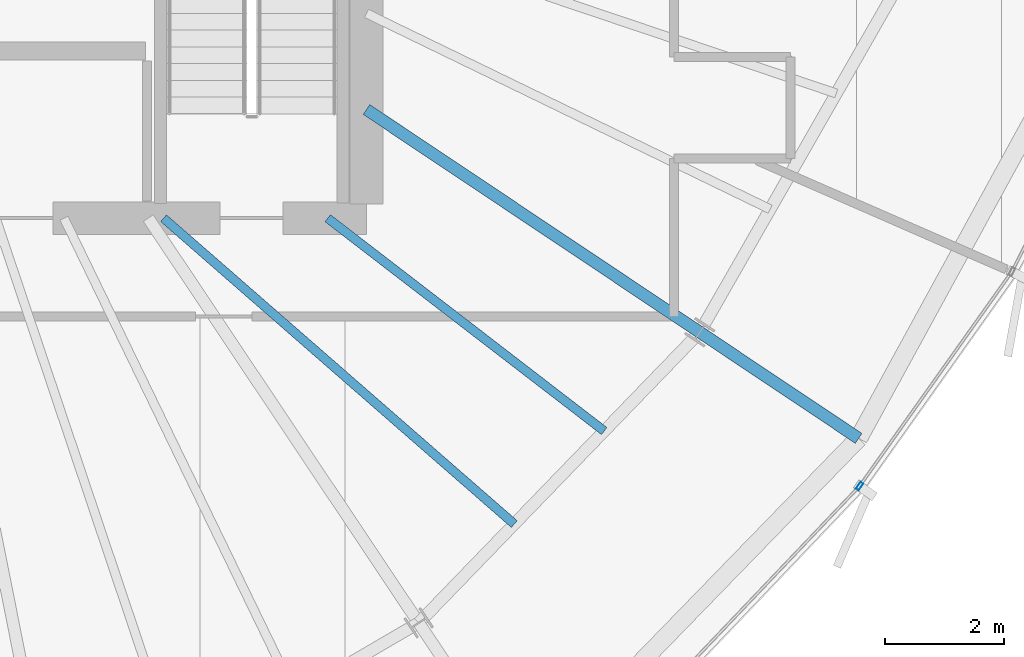
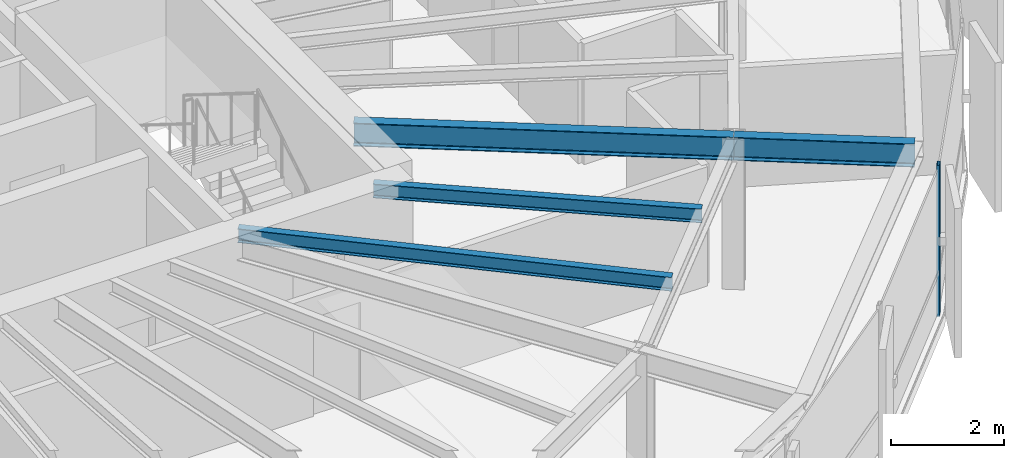
# One storey, part 13 of 35: 4 beams, 1 member, 1 element without a shape of its own.
"""IFC4 building model written with IfcOpenShell, lengths in metres."""

from ifc_helpers import new_model, si_unit, direction, frame, origin, origin_2d, place, context, subcontext, project, spatial, hollow_rectangle, i_section, extrude, source, transform, mapped, material, layer, layer_set, material_profile, profile_set, type_object, element, aggregate, save


model = new_model("IFC4")

# Units and contexts
model_context = context("Model", 3, precision=1e-05, world=origin(), true_north=direction((0.0, 1.0)))
body_context = subcontext(model_context, "Body", "Model", "MODEL_VIEW")
ifc_project = project(units=[si_unit("LENGTHUNIT", "METRE"), si_unit("AREAUNIT", "SQUARE_METRE"), si_unit("VOLUMEUNIT", "CUBIC_METRE"), si_unit("PLANEANGLEUNIT", "RADIAN"), si_unit("MASSUNIT", "GRAM", prefix="KILO"), si_unit("THERMODYNAMICTEMPERATUREUNIT", "KELVIN")], contexts=[model_context])

# Site, building, storey
site_placement = place(None, origin())
site = spatial("IfcSite", under=ifc_project, at=site_placement, CompositionType="ELEMENT")
building_placement = place(site_placement, origin())
building = spatial("IfcBuilding", under=site, at=building_placement, Name="Kethvar Cultural Tower", CompositionType="ELEMENT")
storey_placement = place(building_placement, frame((0.0, 0.0, 204.39990234375)))
storey = spatial("IfcBuildingStorey", under=building, at=storey_placement, Name="L53", CompositionType="ELEMENT", Elevation=204.39990234375)

# Beams
ifc_material_1 = material(Name="Steel S355J2", Category="steel")
ifc_material_profile_1 = material_profile(ifc_material_1, i_section(OverallWidth=0.199951171875, OverallDepth=0.5, WebThickness=0.01025390625, FlangeThickness=0.01611328125, FilletRadius=0.02099609375, at=origin_2d()), Name="Steel S355J2 — IPE500")
ifc_profile_set_1 = profile_set([ifc_material_profile_1], Name="Steel S355J2 — IPE500")
beam_type_1 = type_object("IfcBeamType", Name="BM-IPE500", PredefinedType="BEAM", material=ifc_profile_set_1)
shared_shape_1 = source(origin(), body_context, "Body", "SweptSolid", [
    extrude(i_section(OverallWidth=0.199951171875, OverallDepth=0.5, WebThickness=0.01025390625, FlangeThickness=0.01611328125, FilletRadius=0.02099609375, at=origin_2d()), origin(), (0.0, 0.0, 1.0), 3.199951171875),
])
beam_1_placement = place(storey_placement, frame((61.1826171875, 18.18994140625, 3.008056640625), z_axis=(0.831462943996, -0.555580212716, 0.0), x_axis=(0.555580212716, 0.831462943996, 0.0)))
element("IfcBeam", 1, at=beam_1_placement, inside=storey, type_object=beam_type_1, Name="L53 Perimeter Cantilever Beam RC-15", PredefinedType="BEAM", context=body_context, shape_type="MappedRepresentation", body=[
    mapped(shared_shape_1, transform((0.0, 0.0, 0.0), scale=1.0)),
])
shared_shape_2 = source(origin(), body_context, "Body", "SweptSolid", [
    extrude(i_section(OverallWidth=0.199951171875, OverallDepth=0.5, WebThickness=0.01025390625, FlangeThickness=0.01611328125, FilletRadius=0.02099609375, at=origin_2d()), origin(), (0.0, 0.0, 1.0), 6.7138671875),
])
beam_2_placement = place(storey_placement, frame((55.60009765625, 21.919921875, 3.008056640625), z_axis=(0.831479232731, -0.555555834762, 0.0), x_axis=(0.555555834762, 0.831479232731, 0.0)))
element("IfcBeam", 2, at=beam_2_placement, inside=storey, type_object=beam_type_1, Name="L53 Primary Radial Beam RB-15", PredefinedType="BEAM", context=body_context, shape_type="MappedRepresentation", body=[
    mapped(shared_shape_2, transform((0.0, 0.0, 0.0), scale=1.0)),
])
ifc_material_profile_2 = material_profile(ifc_material_1, i_section(OverallWidth=0.14990234375, OverallDepth=0.300048828125, WebThickness=0.007080078125, FlangeThickness=0.0107421875, FilletRadius=0.014892578125, at=origin_2d()), Name="Steel S355J2 — IPE300")
ifc_profile_set_2 = profile_set([ifc_material_profile_2], Name="Steel S355J2 — IPE300")
beam_type_2 = type_object("IfcBeamType", Name="BM-J300", PredefinedType="JOIST", material=ifc_profile_set_2)
shared_shape_3 = source(origin(), body_context, "Body", "SweptSolid", [
    extrude(i_section(OverallWidth=0.14990234375, OverallDepth=0.300048828125, WebThickness=0.007080078125, FlangeThickness=0.0107421875, FilletRadius=0.014892578125, at=origin_2d()), origin(), (0.0, 0.0, 1.0), 7.7958984375),
])
beam_3_placement = place(storey_placement, frame((52.199951171875, 20.10009765625, 3.108154296875), z_axis=(0.753673681644, -0.657248797335, 0.0), x_axis=(0.657248797335, 0.753673681644, 0.0)))
element("IfcBeam", 3, at=beam_3_placement, inside=storey, type_object=beam_type_2, Name="L53 Composite Floor Joist J-14A", PredefinedType="JOIST", context=body_context, shape_type="MappedRepresentation", body=[
    mapped(shared_shape_3, transform((0.0, 0.0, 0.0), scale=1.0)),
])
shared_shape_4 = source(origin(), body_context, "Body", "SweptSolid", [
    extrude(i_section(OverallWidth=0.14990234375, OverallDepth=0.300048828125, WebThickness=0.007080078125, FlangeThickness=0.0107421875, FilletRadius=0.014892578125, at=origin_2d()), origin(), (0.0, 0.0, 1.0), 5.84521484375),
])
beam_4_placement = place(storey_placement, frame((54.949951171875, 20.10009765625, 3.108154296875), z_axis=(0.792398798307, -0.610003397073, 0.0), x_axis=(0.610003397073, 0.792398798307, 0.0)))
element("IfcBeam", 4, at=beam_4_placement, inside=storey, type_object=beam_type_2, Name="L53 Composite Floor Joist J-14B", PredefinedType="JOIST", context=body_context, shape_type="MappedRepresentation", body=[
    mapped(shared_shape_4, transform((0.0, 0.0, 0.0), scale=1.0)),
])

# Curtain wall, member
ifc_material_2 = material(Name="Aluminium 6063-T6", Category="aluminium")
ifc_layer = layer(ifc_material_2, 0.179931640625, Name="Aluminium 6063-T6", Category="aluminium")
ifc_layer_set = layer_set([ifc_layer], Name="Aluminium 6063-T6 (180 mm)")
curtain_wall_type = type_object("IfcCurtainWallType", Name="CW-SYS-04-Z34", PredefinedType="NOTDEFINED", material=ifc_layer_set)
curtain_wall_placement = place(storey_placement, origin())
curtain_wall = element("IfcCurtainWall", 5, at=curtain_wall_placement, inside=storey, type_object=curtain_wall_type, Name="L53 Curtain Wall Run 05", PredefinedType="NOTDEFINED")
ifc_material_profile_3 = material_profile(ifc_material_2, hollow_rectangle(XDim=0.06005859375, YDim=0.139892578125, WallThickness=0.0048828125, at=origin_2d()), Name="Aluminium 6063-T6 — RHS140x60x5")
ifc_profile_set_3 = profile_set([ifc_material_profile_3], Name="Aluminium 6063-T6 — RHS140x60x5")
member_type = type_object("IfcMemberType", Name="CW-SYS-04-Z34-MUL", PredefinedType="MULLION", material=ifc_profile_set_3)
shared_shape_5 = source(origin(), body_context, "Body", "SweptSolid", [
    extrude(hollow_rectangle(XDim=0.06005859375, YDim=0.139892578125, WallThickness=0.0048828125, at=origin_2d()), origin(), (0.0, 0.0, 1.0), 3.260009765625),
])
member_placement = place(storey_placement, frame((63.859130859375, 15.610107421875, 0.0), z_axis=(0.0, 0.0, 1.0), x_axis=(-0.815390581251, 0.578911219452, 0.0)))
member = element("IfcMember", 6, at=member_placement, type_object=member_type, Name="CW-L53-R05 Mullion 5", PredefinedType="MULLION", context=body_context, shape_type="MappedRepresentation", body=[
    mapped(shared_shape_5, transform((0.0, 0.0, 0.0), scale=1.0)),
])
aggregate(curtain_wall, [member])

save(model, "model.ifc")
